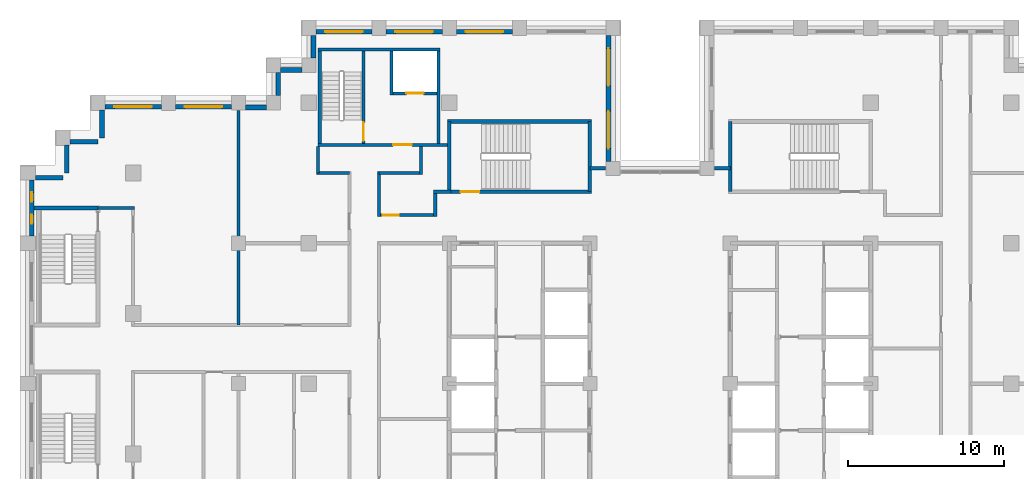
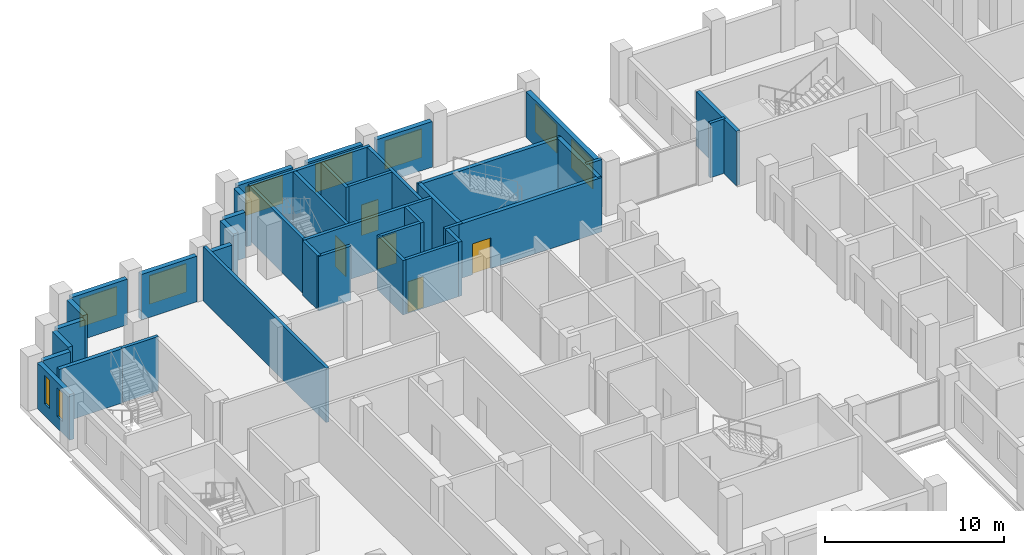
# One storey, part 10 of 15: 40 walls, 9 windows, 5 doors, 14 openings.
"""IFC4 building model written with IfcOpenShell, lengths in metres."""

from ifc_helpers import new_model, si_unit, direction, frame, frame_2d, origin, place, context, subcontext, project, spatial, rectangle, extrude, material, layer, layer_set, type_object, element, fill, save


model = new_model("IFC4")

# Units and contexts
model_context = context("Model", 3, precision=1e-05, world=origin(), true_north=direction((0.0, 1.0)))
body_context = subcontext(model_context, "Body", "Model", "MODEL_VIEW")
ifc_project = project(units=[si_unit("LENGTHUNIT", "METRE"), si_unit("AREAUNIT", "SQUARE_METRE"), si_unit("VOLUMEUNIT", "CUBIC_METRE"), si_unit("PLANEANGLEUNIT", "RADIAN"), si_unit("MASSUNIT", "GRAM", prefix="KILO")], contexts=[model_context])

# Site, building, storey
site_placement = place(None, origin())
site = spatial("IfcSite", under=ifc_project, at=site_placement, CompositionType="ELEMENT")
building_placement = place(site_placement, origin())
building = spatial("IfcBuilding", under=site, at=building_placement, Name="Corbelhall Arena Tower", CompositionType="ELEMENT")
storey_placement = place(building_placement, frame((0.0, 0.0, 224.0)))
storey = spatial("IfcBuildingStorey", under=building, at=storey_placement, Name="L47", CompositionType="ELEMENT", Elevation=224.0)

# Walls
ifc_material_1 = material(Name="Precast concrete C40/50 with granite facing", Category="masonry")
ifc_layer_1 = layer(ifc_material_1, 0.300048828125)
ifc_layer_set_1 = layer_set([ifc_layer_1], Name="EV-IW1 Infill panel 300")
wall_type_1 = type_object("IfcWallType", Name="EV-IW1 Infill panel 300", PredefinedType="SOLIDWALL", material=ifc_layer_set_1)
for number, where, z_axis, x_axis, name in (
    (1, (-35.75, 17.550048828125, 0.0), (0.0, 0.0, 1.0), (0.0, -1.0, 0.0), "Infill panel IW1"),
    (2, (-37.800048828125, 15.5, 0.0), (0.0, 0.0, 1.0), (1.0, 0.0, 0.0), "Infill panel IW1"),
    (3, (-38.0, 15.300048828125, 0.0), (0.0, 0.0, 1.0), (0.0, -1.0, 0.0), "Infill panel IW1"),
):
    element("IfcWall", number, at=place(storey_placement, frame(where, z_axis=z_axis, x_axis=x_axis)), inside=storey, type_object=wall_type_1, Name=name, PredefinedType="SOLIDWALL", context=body_context, shape_type="SweptSolid", body=[
        extrude(rectangle(XDim=1.800048828125, YDim=0.300048828125, at=frame_2d((0.89990234375, 0.0))), origin(), (0.0, 0.0, 1.0), 3.1201171875),
    ])
wall_1_placement = place(storey_placement, frame((-40.0, 13.199951171875, 0.0), z_axis=(0.0, 0.0, 1.0), x_axis=(1.0, 0.0, 0.0)))
element("IfcWall", 4, at=wall_1_placement, inside=storey, type_object=wall_type_1, Name="Infill panel IW1", PredefinedType="SOLIDWALL", context=body_context, shape_type="SweptSolid", body=[
    extrude(rectangle(XDim=1.75, YDim=0.300048828125, at=frame_2d((0.875, 0.0))), origin(), (0.0, 0.0, 1.0), 3.1201171875),
])
wall_2_placement = place(storey_placement, frame((-22.949951171875, 20.10009765625, 0.0), z_axis=(0.0, 0.0, 1.0), x_axis=(-1.0, 0.0, 0.0)))
element("IfcWall", 5, at=wall_2_placement, inside=storey, type_object=wall_type_1, Name="Infill panel IW1", PredefinedType="SOLIDWALL", context=body_context, shape_type="SweptSolid", body=[
    extrude(rectangle(XDim=1.35009765625, YDim=0.300048828125, at=frame_2d((0.675048828125, 0.0))), origin(), (0.0, 0.0, 1.0), 3.1201171875),
])
wall_3_placement = place(storey_placement, frame((-24.449951171875, 19.949951171875, 0.0), z_axis=(0.0, 0.0, 1.0), x_axis=(0.0, -1.0, 0.0)))
element("IfcWall", 6, at=wall_3_placement, inside=storey, type_object=wall_type_1, Name="Infill panel IW1", PredefinedType="SOLIDWALL", context=body_context, shape_type="SweptSolid", body=[
    extrude(rectangle(XDim=1.5, YDim=0.300048828125, at=frame_2d((0.75, 0.0))), origin(), (0.0, 0.0, 1.0), 3.1201171875),
])
wall_4_placement = place(storey_placement, frame((-25.199951171875, 17.699951171875, 0.0), z_axis=(0.0, 0.0, 1.0), x_axis=(-1.0, 0.0, 0.0)))
element("IfcWall", 7, at=wall_4_placement, inside=storey, type_object=wall_type_1, Name="Infill panel IW1", PredefinedType="SOLIDWALL", context=body_context, shape_type="SweptSolid", body=[
    extrude(rectangle(XDim=1.35009765625, YDim=0.300048828125, at=frame_2d((0.675048828125, 0.0))), origin(), (0.0, 0.0, 1.0), 3.1201171875),
])

# Wall, opening, window
wall_5_placement = place(storey_placement, frame((-27.449951171875, 17.75, 0.0), z_axis=(0.0, 0.0, 1.0), x_axis=(-1.0, 0.0, 0.0)))
wall_5 = element("IfcWall", 8, at=wall_5_placement, inside=storey, type_object=wall_type_1, Name="Infill panel IW1", PredefinedType="SOLIDWALL", context=body_context, shape_type="SweptSolid", body=[
    extrude(rectangle(XDim=3.60009765625, YDim=0.300048828125, at=frame_2d((1.800048828125, 0.0))), origin(), (0.0, 0.0, 1.0), 3.1201171875),
])
opening_1_placement = place(wall_5_placement, frame((0.60009765625, 0.0, 0.800048828125)))
opening_1 = element("IfcOpeningElement", 9, at=opening_1_placement, cuts=wall_5, Name="Opening WN1", PredefinedType="OPENING", context=body_context, shape_type="SweptSolid", body=[
    extrude(rectangle(XDim=2.39990234375, YDim=1.949951171875, at=frame_2d((1.199951171875, 0.97509765625))), frame((0.0, 0.14990234375, 0.0), z_axis=(0.0, -1.0, 0.0), x_axis=(1.0, 0.0, 0.0)), (0.0, 0.0, 1.0), 0.300048828125),
])
ifc_material_2 = material(Name="Aluminium black anodised", Category="aluminium")
window_type_1 = type_object("IfcWindowType", Name="EV-WN1 Office window", PartitioningType="SINGLE_PANEL", PredefinedType="WINDOW", material=ifc_material_2)
window_1_placement = place(opening_1_placement, origin())
window_1 = element("IfcWindow", 10, at=window_1_placement, inside=storey, type_object=window_type_1, Name="Window WN1", OverallHeight=1.949951171875, OverallWidth=2.39990234375, PartitioningType="SINGLE_PANEL", PredefinedType="WINDOW", context=body_context, shape_type="SweptSolid", body=[
    extrude(rectangle(XDim=2.39990234375, YDim=1.949951171875, at=frame_2d((1.199951171875, 0.97509765625))), frame((0.0, 0.030029296875, 0.0), z_axis=(0.0, -1.0, 0.0), x_axis=(1.0, 0.0, 0.0)), (0.0, 0.0, 1.0), 0.06005859375),
])
fill(opening_1, window_1)

wall_6_placement = place(storey_placement, frame((-31.949951171875, 17.75, 0.0), z_axis=(0.0, 0.0, 1.0), x_axis=(-1.0, 0.0, 0.0)))
wall_6 = element("IfcWall", 11, at=wall_6_placement, inside=storey, type_object=wall_type_1, Name="Infill panel IW1", PredefinedType="SOLIDWALL", context=body_context, shape_type="SweptSolid", body=[
    extrude(rectangle(XDim=3.60009765625, YDim=0.300048828125, at=frame_2d((1.800048828125, 0.0))), origin(), (0.0, 0.0, 1.0), 3.1201171875),
])
opening_2_placement = place(wall_6_placement, frame((0.60009765625, 0.0, 0.800048828125)))
opening_2 = element("IfcOpeningElement", 12, at=opening_2_placement, cuts=wall_6, Name="Opening WN1", PredefinedType="OPENING", context=body_context, shape_type="SweptSolid", body=[
    extrude(rectangle(XDim=2.39990234375, YDim=1.949951171875, at=frame_2d((1.199951171875, 0.97509765625))), frame((0.0, 0.14990234375, 0.0), z_axis=(0.0, -1.0, 0.0), x_axis=(1.0, 0.0, 0.0)), (0.0, 0.0, 1.0), 0.300048828125),
])
window_2_placement = place(opening_2_placement, origin())
window_2 = element("IfcWindow", 13, at=window_2_placement, inside=storey, type_object=window_type_1, Name="Window WN1", OverallHeight=1.949951171875, OverallWidth=2.39990234375, PartitioningType="SINGLE_PANEL", PredefinedType="WINDOW", context=body_context, shape_type="SweptSolid", body=[
    extrude(rectangle(XDim=2.39990234375, YDim=1.949951171875, at=frame_2d((1.199951171875, 0.97509765625))), frame((0.0, 0.030029296875, 0.0), z_axis=(0.0, -1.0, 0.0), x_axis=(1.0, 0.0, 0.0)), (0.0, 0.0, 1.0), 0.06005859375),
])
fill(opening_2, window_2)

# Wall, openings, windows
wall_7_placement = place(storey_placement, frame((-40.25, 13.050048828125, 0.0), z_axis=(0.0, 0.0, 1.0), x_axis=(0.0, -1.0, 0.0)))
wall_7 = element("IfcWall", 14, at=wall_7_placement, inside=storey, type_object=wall_type_1, Name="Infill panel IW1", PredefinedType="SOLIDWALL", context=body_context, shape_type="SweptSolid", body=[
    extrude(rectangle(XDim=3.60009765625, YDim=0.300048828125, at=frame_2d((1.800048828125, 0.0))), origin(), (0.0, 0.0, 1.0), 3.1201171875),
])
opening_3_placement = place(wall_7_placement, frame((0.78759765625, 0.0, 0.800048828125)))
opening_3 = element("IfcOpeningElement", 15, at=opening_3_placement, cuts=wall_7, Name="Opening WN5", PredefinedType="OPENING", context=body_context, shape_type="SweptSolid", body=[
    extrude(rectangle(XDim=0.60009765625, YDim=1.949951171875, at=frame_2d((0.300048828125, 0.97509765625))), frame((0.0, 0.14990234375, 0.0), z_axis=(0.0, -1.0, 0.0), x_axis=(1.0, 0.0, 0.0)), (0.0, 0.0, 1.0), 0.300048828125),
])
opening_4_placement = place(wall_7_placement, frame((2.21240234375, 0.0, 0.800048828125)))
opening_4 = element("IfcOpeningElement", 16, at=opening_4_placement, cuts=wall_7, Name="Opening WN5", PredefinedType="OPENING", context=body_context, shape_type="SweptSolid", body=[
    extrude(rectangle(XDim=0.60009765625, YDim=1.949951171875, at=frame_2d((0.300048828125, 0.97509765625))), frame((0.0, 0.14990234375, 0.0), z_axis=(0.0, -1.0, 0.0), x_axis=(1.0, 0.0, 0.0)), (0.0, 0.0, 1.0), 0.300048828125),
])
window_type_2 = type_object("IfcWindowType", Name="EV-WN5 Office window 600", PartitioningType="SINGLE_PANEL", PredefinedType="WINDOW", material=ifc_material_2)
window_3_placement = place(opening_3_placement, origin())
window_3 = element("IfcWindow", 17, at=window_3_placement, inside=storey, type_object=window_type_2, Name="Window WN5", OverallHeight=1.949951171875, OverallWidth=0.60009765625, PartitioningType="SINGLE_PANEL", PredefinedType="WINDOW", context=body_context, shape_type="SweptSolid", body=[
    extrude(rectangle(XDim=0.60009765625, YDim=1.949951171875, at=frame_2d((0.300048828125, 0.97509765625))), frame((0.0, 0.030029296875, 0.0), z_axis=(0.0, -1.0, 0.0), x_axis=(1.0, 0.0, 0.0)), (0.0, 0.0, 1.0), 0.06005859375),
])
fill(opening_3, window_3)
window_4_placement = place(opening_4_placement, origin())
window_4 = element("IfcWindow", 18, at=window_4_placement, inside=storey, type_object=window_type_2, Name="Window WN5", OverallHeight=1.949951171875, OverallWidth=0.60009765625, PartitioningType="SINGLE_PANEL", PredefinedType="WINDOW", context=body_context, shape_type="SweptSolid", body=[
    extrude(rectangle(XDim=0.60009765625, YDim=1.949951171875, at=frame_2d((0.300048828125, 0.97509765625))), frame((0.0, 0.030029296875, 0.0), z_axis=(0.0, -1.0, 0.0), x_axis=(1.0, 0.0, 0.0)), (0.0, 0.0, 1.0), 0.06005859375),
])
fill(opening_4, window_4)

wall_8_placement = place(storey_placement, frame((-3.300048828125, 14.25, 0.0), z_axis=(0.0, 0.0, 1.0), x_axis=(0.0, 1.0, 0.0)))
wall_8 = element("IfcWall", 19, at=wall_8_placement, inside=storey, type_object=wall_type_1, Name="Infill panel IW1", PredefinedType="SOLIDWALL", context=body_context, shape_type="SweptSolid", body=[
    extrude(rectangle(XDim=8.050048828125, YDim=0.300048828125, at=frame_2d((4.02490234375, 0.0))), origin(), (0.0, 0.0, 1.0), 3.1201171875),
])
opening_5_placement = place(wall_8_placement, frame((0.8125, 0.0, 0.800048828125)))
opening_5 = element("IfcOpeningElement", 20, at=opening_5_placement, cuts=wall_8, Name="Opening WN1", PredefinedType="OPENING", context=body_context, shape_type="SweptSolid", body=[
    extrude(rectangle(XDim=2.39990234375, YDim=1.949951171875, at=frame_2d((1.199951171875, 0.97509765625))), frame((0.0, 0.14990234375, 0.0), z_axis=(0.0, -1.0, 0.0), x_axis=(1.0, 0.0, 0.0)), (0.0, 0.0, 1.0), 0.300048828125),
])
opening_6_placement = place(wall_8_placement, frame((4.83740234375, 0.0, 0.800048828125)))
opening_6 = element("IfcOpeningElement", 21, at=opening_6_placement, cuts=wall_8, Name="Opening WN1", PredefinedType="OPENING", context=body_context, shape_type="SweptSolid", body=[
    extrude(rectangle(XDim=2.39990234375, YDim=1.949951171875, at=frame_2d((1.199951171875, 0.97509765625))), frame((0.0, 0.14990234375, 0.0), z_axis=(0.0, -1.0, 0.0), x_axis=(1.0, 0.0, 0.0)), (0.0, 0.0, 1.0), 0.300048828125),
])
window_5_placement = place(opening_5_placement, origin())
window_5 = element("IfcWindow", 22, at=window_5_placement, inside=storey, type_object=window_type_1, Name="Window WN1", OverallHeight=1.949951171875, OverallWidth=2.39990234375, PartitioningType="SINGLE_PANEL", PredefinedType="WINDOW", context=body_context, shape_type="SweptSolid", body=[
    extrude(rectangle(XDim=2.39990234375, YDim=1.949951171875, at=frame_2d((1.199951171875, 0.97509765625))), frame((0.0, 0.030029296875, 0.0), z_axis=(0.0, -1.0, 0.0), x_axis=(1.0, 0.0, 0.0)), (0.0, 0.0, 1.0), 0.06005859375),
])
fill(opening_5, window_5)
window_6_placement = place(opening_6_placement, origin())
window_6 = element("IfcWindow", 23, at=window_6_placement, inside=storey, type_object=window_type_1, Name="Window WN1", OverallHeight=1.949951171875, OverallWidth=2.39990234375, PartitioningType="SINGLE_PANEL", PredefinedType="WINDOW", context=body_context, shape_type="SweptSolid", body=[
    extrude(rectangle(XDim=2.39990234375, YDim=1.949951171875, at=frame_2d((1.199951171875, 0.97509765625))), frame((0.0, 0.030029296875, 0.0), z_axis=(0.0, -1.0, 0.0), x_axis=(1.0, 0.0, 0.0)), (0.0, 0.0, 1.0), 0.06005859375),
])
fill(opening_6, window_6)

# Wall, opening, window
wall_9_placement = place(storey_placement, frame((-9.449951171875, 22.550048828125, 0.0), z_axis=(0.0, 0.0, 1.0), x_axis=(-1.0, 0.0, 0.0)))
wall_9 = element("IfcWall", 24, at=wall_9_placement, inside=storey, type_object=wall_type_1, Name="Infill panel IW1", PredefinedType="SOLIDWALL", context=body_context, shape_type="SweptSolid", body=[
    extrude(rectangle(XDim=3.60009765625, YDim=0.300048828125, at=frame_2d((1.800048828125, 0.0))), origin(), (0.0, 0.0, 1.0), 3.1201171875),
])
opening_7_placement = place(wall_9_placement, frame((0.60009765625, 0.0, 0.800048828125)))
opening_7 = element("IfcOpeningElement", 25, at=opening_7_placement, cuts=wall_9, Name="Opening WN1", PredefinedType="OPENING", context=body_context, shape_type="SweptSolid", body=[
    extrude(rectangle(XDim=2.39990234375, YDim=1.949951171875, at=frame_2d((1.199951171875, 0.97509765625))), frame((0.0, 0.14990234375, 0.0), z_axis=(0.0, -1.0, 0.0), x_axis=(1.0, 0.0, 0.0)), (0.0, 0.0, 1.0), 0.300048828125),
])
window_7_placement = place(opening_7_placement, origin())
window_7 = element("IfcWindow", 26, at=window_7_placement, inside=storey, type_object=window_type_1, Name="Window WN1", OverallHeight=1.949951171875, OverallWidth=2.39990234375, PartitioningType="SINGLE_PANEL", PredefinedType="WINDOW", context=body_context, shape_type="SweptSolid", body=[
    extrude(rectangle(XDim=2.39990234375, YDim=1.949951171875, at=frame_2d((1.199951171875, 0.97509765625))), frame((0.0, 0.030029296875, 0.0), z_axis=(0.0, -1.0, 0.0), x_axis=(1.0, 0.0, 0.0)), (0.0, 0.0, 1.0), 0.06005859375),
])
fill(opening_7, window_7)

wall_10_placement = place(storey_placement, frame((-13.949951171875, 22.550048828125, 0.0), z_axis=(0.0, 0.0, 1.0), x_axis=(-1.0, 0.0, 0.0)))
wall_10 = element("IfcWall", 27, at=wall_10_placement, inside=storey, type_object=wall_type_1, Name="Infill panel IW1", PredefinedType="SOLIDWALL", context=body_context, shape_type="SweptSolid", body=[
    extrude(rectangle(XDim=3.60009765625, YDim=0.300048828125, at=frame_2d((1.800048828125, 0.0))), origin(), (0.0, 0.0, 1.0), 3.1201171875),
])
opening_8_placement = place(wall_10_placement, frame((0.60009765625, 0.0, 0.800048828125)))
opening_8 = element("IfcOpeningElement", 28, at=opening_8_placement, cuts=wall_10, Name="Opening WN1", PredefinedType="OPENING", context=body_context, shape_type="SweptSolid", body=[
    extrude(rectangle(XDim=2.39990234375, YDim=1.949951171875, at=frame_2d((1.199951171875, 0.97509765625))), frame((0.0, 0.14990234375, 0.0), z_axis=(0.0, -1.0, 0.0), x_axis=(1.0, 0.0, 0.0)), (0.0, 0.0, 1.0), 0.300048828125),
])
window_8_placement = place(opening_8_placement, origin())
window_8 = element("IfcWindow", 29, at=window_8_placement, inside=storey, type_object=window_type_1, Name="Window WN1", OverallHeight=1.949951171875, OverallWidth=2.39990234375, PartitioningType="SINGLE_PANEL", PredefinedType="WINDOW", context=body_context, shape_type="SweptSolid", body=[
    extrude(rectangle(XDim=2.39990234375, YDim=1.949951171875, at=frame_2d((1.199951171875, 0.97509765625))), frame((0.0, 0.030029296875, 0.0), z_axis=(0.0, -1.0, 0.0), x_axis=(1.0, 0.0, 0.0)), (0.0, 0.0, 1.0), 0.06005859375),
])
fill(opening_8, window_8)

wall_11_placement = place(storey_placement, frame((-18.449951171875, 22.550048828125, 0.0), z_axis=(0.0, 0.0, 1.0), x_axis=(-1.0, 0.0, 0.0)))
wall_11 = element("IfcWall", 30, at=wall_11_placement, inside=storey, type_object=wall_type_1, Name="Infill panel IW1", PredefinedType="SOLIDWALL", context=body_context, shape_type="SweptSolid", body=[
    extrude(rectangle(XDim=3.60009765625, YDim=0.300048828125, at=frame_2d((1.800048828125, 0.0))), origin(), (0.0, 0.0, 1.0), 3.1201171875),
])
opening_9_placement = place(wall_11_placement, frame((0.60009765625, 0.0, 0.800048828125)))
opening_9 = element("IfcOpeningElement", 31, at=opening_9_placement, cuts=wall_11, Name="Opening WN1", PredefinedType="OPENING", context=body_context, shape_type="SweptSolid", body=[
    extrude(rectangle(XDim=2.39990234375, YDim=1.949951171875, at=frame_2d((1.199951171875, 0.97509765625))), frame((0.0, 0.14990234375, 0.0), z_axis=(0.0, -1.0, 0.0), x_axis=(1.0, 0.0, 0.0)), (0.0, 0.0, 1.0), 0.300048828125),
])
window_9_placement = place(opening_9_placement, origin())
window_9 = element("IfcWindow", 32, at=window_9_placement, inside=storey, type_object=window_type_1, Name="Window WN1", OverallHeight=1.949951171875, OverallWidth=2.39990234375, PartitioningType="SINGLE_PANEL", PredefinedType="WINDOW", context=body_context, shape_type="SweptSolid", body=[
    extrude(rectangle(XDim=2.39990234375, YDim=1.949951171875, at=frame_2d((1.199951171875, 0.97509765625))), frame((0.0, 0.030029296875, 0.0), z_axis=(0.0, -1.0, 0.0), x_axis=(1.0, 0.0, 0.0)), (0.0, 0.0, 1.0), 0.06005859375),
])
fill(opening_9, window_9)

# Walls
wall_12_placement = place(storey_placement, frame((-22.199951171875, 22.300048828125, 0.0), z_axis=(0.0, 0.0, 1.0), x_axis=(0.0, -1.0, 0.0)))
element("IfcWall", 33, at=wall_12_placement, inside=storey, type_object=wall_type_1, Name="Infill panel IW1", PredefinedType="SOLIDWALL", context=body_context, shape_type="SweptSolid", body=[
    extrude(rectangle(XDim=1.449951171875, YDim=0.300048828125, at=frame_2d((0.72509765625, 0.0))), origin(), (0.0, 0.0, 1.0), 3.1201171875),
])
ifc_material_3 = material(Name="Gypsum board on steel stud, acoustic", Category="steel")
ifc_layer_2 = layer(ifc_material_3, 0.199951171875)
ifc_layer_set_2 = layer_set([ifc_layer_2], Name="IN-W-DM200")
wall_type_2 = type_object("IfcWallType", Name="IN-W-DM200", PredefinedType="PARTITIONING", material=ifc_layer_set_2)
wall_13_placement = place(storey_placement, frame((-36.0, 11.25, 0.0), z_axis=(0.0, 0.0, 1.0), x_axis=(1.0, 0.0, 0.0)))
element("IfcWall", 34, at=wall_13_placement, inside=storey, type_object=wall_type_2, Name="Partition 001", PredefinedType="PARTITIONING", context=body_context, shape_type="SweptSolid", body=[
    extrude(rectangle(XDim=2.35009765625, YDim=0.199951171875, at=frame_2d((1.175048828125, 0.0))), origin(), (0.0, 0.0, 1.0), 3.719970703125),
])
wall_14_placement = place(storey_placement, frame((-27.0, 3.75, 0.0), z_axis=(0.0, 0.0, 1.0), x_axis=(0.0, 1.0, 0.0)))
element("IfcWall", 35, at=wall_14_placement, inside=storey, type_object=wall_type_2, Name="Partition 011", PredefinedType="PARTITIONING", context=body_context, shape_type="SweptSolid", body=[
    extrude(rectangle(XDim=13.75, YDim=0.199951171875, at=frame_2d((6.875, 0.0))), origin(), (0.0, 0.0, 1.0), 3.719970703125),
])
wall_15_placement = place(storey_placement, frame((-21.89990234375, 13.5, 0.0), z_axis=(0.0, 0.0, 1.0), x_axis=(0.0, 1.0, 0.0)))
element("IfcWall", 36, at=wall_15_placement, inside=storey, type_object=wall_type_2, Name="Partition 013", PredefinedType="PARTITIONING", context=body_context, shape_type="SweptSolid", body=[
    extrude(rectangle(XDim=1.699951171875, YDim=0.199951171875, at=frame_2d((0.85009765625, 0.0))), origin(), (0.0, 0.0, 1.0), 3.719970703125),
])
wall_16_placement = place(storey_placement, frame((-19.89990234375, 13.5, 0.0), z_axis=(0.0, 0.0, 1.0), x_axis=(-1.0, 0.0, 0.0)))
element("IfcWall", 37, at=wall_16_placement, inside=storey, type_object=wall_type_2, Name="Partition 016", PredefinedType="PARTITIONING", context=body_context, shape_type="SweptSolid", body=[
    extrude(rectangle(XDim=2.10009765625, YDim=0.199951171875, at=frame_2d((1.050048828125, 0.0))), origin(), (0.0, 0.0, 1.0), 3.719970703125),
])

# Wall, opening, door
wall_17_placement = place(storey_placement, frame((-18.0, 10.800048828125, 0.0), z_axis=(0.0, 0.0, 1.0), x_axis=(1.0, 0.0, 0.0)))
wall_17 = element("IfcWall", 38, at=wall_17_placement, inside=storey, type_object=wall_type_2, Name="Partition 021", PredefinedType="PARTITIONING", context=body_context, shape_type="SweptSolid", body=[
    extrude(rectangle(XDim=3.60009765625, YDim=0.199951171875, at=frame_2d((1.800048828125, 0.0))), origin(), (0.0, 0.0, 1.0), 3.719970703125),
])
opening_10_placement = place(wall_17_placement, frame((0.25, 0.0, 0.0)))
opening_10 = element("IfcOpeningElement", 39, at=opening_10_placement, cuts=wall_17, Name="Opening 14028", PredefinedType="OPENING", context=body_context, shape_type="SweptSolid", body=[
    extrude(rectangle(XDim=1.0, YDim=2.10009765625, at=frame_2d((0.5, 1.050048828125))), frame((0.0, 0.10009765625, 0.0), z_axis=(0.0, -1.0, 0.0), x_axis=(1.0, 0.0, 0.0)), (0.0, 0.0, 1.0), 0.199951171875),
])
ifc_material_4 = material(Name="Steel door set", Category="steel")
door_type_1 = type_object("IfcDoorType", Name="IN-D-SW100", OperationType="NOTDEFINED", PredefinedType="DOOR", material=ifc_material_4)
door_1_placement = place(opening_10_placement, origin())
door_1 = element("IfcDoor", 40, at=door_1_placement, inside=storey, type_object=door_type_1, Name="Door 028", OperationType="SINGLE_SWING_LEFT", OverallHeight=2.10009765625, OverallWidth=1.0, PredefinedType="DOOR", context=body_context, shape_type="SweptSolid", body=[
    extrude(rectangle(XDim=1.0, YDim=2.10009765625, at=frame_2d((0.5, 1.050048828125))), frame((0.0, 0.02490234375, 0.0), z_axis=(0.0, -1.0, 0.0), x_axis=(1.0, 0.0, 0.0)), (0.0, 0.0, 1.0), 0.050048828125),
])
fill(opening_10, door_1)

# Walls
wall_18_placement = place(storey_placement, frame((-18.0, 13.60009765625, 0.0), z_axis=(0.0, 0.0, 1.0), x_axis=(0.0, -1.0, 0.0)))
element("IfcWall", 41, at=wall_18_placement, inside=storey, type_object=wall_type_2, Name="Partition 022", PredefinedType="PARTITIONING", context=body_context, shape_type="SweptSolid", body=[
    extrude(rectangle(XDim=2.900146484375, YDim=0.199951171875, at=frame_2d((1.4501953125, 0.0))), origin(), (0.0, 0.0, 1.0), 3.719970703125),
])
wall_19_placement = place(storey_placement, frame((-15.300048828125, 13.5, 0.0), z_axis=(0.0, 0.0, 1.0), x_axis=(-1.0, 0.0, 0.0)))
element("IfcWall", 42, at=wall_19_placement, inside=storey, type_object=wall_type_2, Name="Partition 023", PredefinedType="PARTITIONING", context=body_context, shape_type="SweptSolid", body=[
    extrude(rectangle(XDim=2.699951171875, YDim=0.199951171875, at=frame_2d((1.35009765625, 0.0))), origin(), (0.0, 0.0, 1.0), 3.719970703125),
])
wall_20_placement = place(storey_placement, frame((-15.300048828125, 15.199951171875, 0.0), z_axis=(0.0, 0.0, 1.0), x_axis=(0.0, -1.0, 0.0)))
element("IfcWall", 43, at=wall_20_placement, inside=storey, type_object=wall_type_2, Name="Partition 024", PredefinedType="PARTITIONING", context=body_context, shape_type="SweptSolid", body=[
    extrude(rectangle(XDim=1.800048828125, YDim=0.199951171875, at=frame_2d((0.89990234375, 0.0))), origin(), (0.0, 0.0, 1.0), 3.719970703125),
])
wall_21_placement = place(storey_placement, frame((-14.5, 12.300048828125, 0.0), z_axis=(0.0, 0.0, 1.0), x_axis=(1.0, 0.0, 0.0)))
element("IfcWall", 44, at=wall_21_placement, inside=storey, type_object=wall_type_2, Name="Partition 025", PredefinedType="PARTITIONING", context=body_context, shape_type="SweptSolid", body=[
    extrude(rectangle(XDim=1.125, YDim=0.199951171875, at=frame_2d((0.5625, 0.0))), origin(), (0.0, 0.0, 1.0), 3.719970703125),
])
wall_22_placement = place(storey_placement, frame((-14.39990234375, 10.699951171875, 0.0), z_axis=(0.0, 0.0, 1.0), x_axis=(0.0, 1.0, 0.0)))
element("IfcWall", 45, at=wall_22_placement, inside=storey, type_object=wall_type_2, Name="Partition 029", PredefinedType="PARTITIONING", context=body_context, shape_type="SweptSolid", body=[
    extrude(rectangle(XDim=1.60009765625, YDim=0.199951171875, at=frame_2d((0.800048828125, 0.0))), origin(), (0.0, 0.0, 1.0), 3.719970703125),
])
for number, where, z_axis, x_axis, name in (
    (46, (-4.5, 13.800048828125, 0.0), (0.0, 0.0, 1.0), (1.0, 0.0, 0.0), "Partition 031"),
    (47, (3.5, 13.800048828125, 0.0), (0.0, 0.0, 1.0), (1.0, 0.0, 0.0), "Partition 033"),
):
    element("IfcWall", number, at=place(storey_placement, frame(where, z_axis=z_axis, x_axis=x_axis)), inside=storey, type_object=wall_type_2, Name=name, PredefinedType="PARTITIONING", context=body_context, shape_type="SweptSolid", body=[
        extrude(rectangle(XDim=1.0, YDim=0.199951171875, at=frame_2d((0.5, 0.0))), origin(), (0.0, 0.0, 1.0), 3.719970703125),
    ])

# Wall, opening, door
ifc_material_5 = material(Name="Concrete C40/50", Category="concrete")
ifc_layer_3 = layer(ifc_material_5, 0.199951171875)
ifc_layer_set_3 = layer_set([ifc_layer_3], Name="IN-W-EAR200")
wall_type_3 = type_object("IfcWallType", Name="IN-W-EAR200", PredefinedType="SOLIDWALL", material=ifc_layer_set_3)
wall_23_placement = place(storey_placement, frame((-21.89990234375, 15.300048828125, 0.0), z_axis=(0.0, 0.0, 1.0), x_axis=(1.0, 0.0, 0.0)))
wall_23 = element("IfcWall", 48, at=wall_23_placement, inside=storey, type_object=wall_type_3, Name="Fire service turret wall south", PredefinedType="SOLIDWALL", context=body_context, shape_type="SweptSolid", body=[
    extrude(rectangle(XDim=8.27490234375, YDim=0.199951171875, at=frame_2d((4.137451171875, 0.0))), origin(), (0.0, 0.0, 1.0), 3.719970703125),
])
opening_11_placement = place(wall_23_placement, frame((4.800048828125, 0.0, 0.0)))
opening_11 = element("IfcOpeningElement", 49, at=opening_11_placement, cuts=wall_23, Name="Opening E142", PredefinedType="OPENING", context=body_context, shape_type="SweptSolid", body=[
    extrude(rectangle(XDim=1.199951171875, YDim=2.10009765625, at=frame_2d((0.60009765625, 1.050048828125))), frame((0.0, 0.10009765625, 0.0), z_axis=(0.0, -1.0, 0.0), x_axis=(1.0, 0.0, 0.0)), (0.0, 0.0, 1.0), 0.199951171875),
])
door_type_2 = type_object("IfcDoorType", Name="IN-D-ST120", OperationType="NOTDEFINED", PredefinedType="DOOR", material=ifc_material_4)
door_2_placement = place(opening_11_placement, origin())
door_2 = element("IfcDoor", 50, at=door_2_placement, inside=storey, type_object=door_type_2, Name="Door from fire service lift lobby to circulation", OperationType="SINGLE_SWING_RIGHT", OverallHeight=2.10009765625, OverallWidth=1.199951171875, PredefinedType="DOOR", context=body_context, shape_type="SweptSolid", body=[
    extrude(rectangle(XDim=1.199951171875, YDim=2.10009765625, at=frame_2d((0.60009765625, 1.050048828125))), frame((0.0, 0.02490234375, 0.0), z_axis=(0.0, -1.0, 0.0), x_axis=(1.0, 0.0, 0.0)), (0.0, 0.0, 1.0), 0.050048828125),
])
fill(opening_11, door_2)

# Walls
wall_24_placement = place(storey_placement, frame((-21.89990234375, 21.39990234375, 0.0), z_axis=(0.0, 0.0, 1.0), x_axis=(1.0, 0.0, 0.0)))
element("IfcWall", 51, at=wall_24_placement, inside=storey, type_object=wall_type_3, Name="Fire service turret wall north", PredefinedType="SOLIDWALL", context=body_context, shape_type="SweptSolid", body=[
    extrude(rectangle(XDim=7.7998046875, YDim=0.199951171875, at=frame_2d((3.89990234375, 0.0))), origin(), (0.0, 0.0, 1.0), 3.719970703125),
])
for number, where, z_axis, x_axis, name in (
    (52, (-21.800048828125, 15.39990234375, 0.0), (0.0, 0.0, 1.0), (0.0, 1.0, 0.0), "Fire service turret wall west"),
    (53, (-14.199951171875, 15.39990234375, 0.0), (0.0, 0.0, 1.0), (0.0, 1.0, 0.0), "Fire service turret wall east"),
):
    element("IfcWall", number, at=place(storey_placement, frame(where, z_axis=z_axis, x_axis=x_axis)), inside=storey, type_object=wall_type_3, Name=name, PredefinedType="SOLIDWALL", context=body_context, shape_type="SweptSolid", body=[
        extrude(rectangle(XDim=5.900146484375, YDim=0.199951171875, at=frame_2d((2.9501953125, 0.0))), origin(), (0.0, 0.0, 1.0), 3.719970703125),
    ])

# Wall, opening, door
wall_25_placement = place(storey_placement, frame((-18.989990234375, 15.39990234375, 0.0), z_axis=(0.0, 0.0, 1.0), x_axis=(0.0, 1.0, 0.0)))
wall_25 = element("IfcWall", 54, at=wall_25_placement, inside=storey, type_object=wall_type_3, Name="Fire service turret wall stair", PredefinedType="SOLIDWALL", context=body_context, shape_type="SweptSolid", body=[
    extrude(rectangle(XDim=5.900146484375, YDim=0.199951171875, at=frame_2d((2.9501953125, 0.0))), origin(), (0.0, 0.0, 1.0), 3.719970703125),
])
opening_12_placement = place(wall_25_placement, frame((0.14990234375, 0.0, 0.0)))
opening_12 = element("IfcOpeningElement", 55, at=opening_12_placement, cuts=wall_25, Name="Opening E141", PredefinedType="OPENING", context=body_context, shape_type="SweptSolid", body=[
    extrude(rectangle(XDim=1.199951171875, YDim=2.10009765625, at=frame_2d((0.60009765625, 1.050048828125))), frame((0.0, 0.10009765625, 0.0), z_axis=(0.0, -1.0, 0.0), x_axis=(1.0, 0.0, 0.0)), (0.0, 0.0, 1.0), 0.199951171875),
])
door_3_placement = place(opening_12_placement, origin())
door_3 = element("IfcDoor", 56, at=door_3_placement, inside=storey, type_object=door_type_2, Name="Stair door to fire service lobby", OperationType="SINGLE_SWING_LEFT", OverallHeight=2.10009765625, OverallWidth=1.199951171875, PredefinedType="DOOR", context=body_context, shape_type="SweptSolid", body=[
    extrude(rectangle(XDim=1.199951171875, YDim=2.10009765625, at=frame_2d((0.60009765625, 1.050048828125))), frame((0.0, 0.02490234375, 0.0), z_axis=(0.0, -1.0, 0.0), x_axis=(1.0, 0.0, 0.0)), (0.0, 0.0, 1.0), 0.050048828125),
])
fill(opening_12, door_3)

# Wall
wall_26_placement = place(storey_placement, frame((-17.199951171875, 18.5, 0.0), z_axis=(0.0, 0.0, 1.0), x_axis=(0.0, 1.0, 0.0)))
element("IfcWall", 57, at=wall_26_placement, inside=storey, type_object=wall_type_3, Name="Fire service turret wall hoistway west", PredefinedType="SOLIDWALL", context=body_context, shape_type="SweptSolid", body=[
    extrude(rectangle(XDim=2.800048828125, YDim=0.199951171875, at=frame_2d((1.39990234375, 0.0))), origin(), (0.0, 0.0, 1.0), 3.719970703125),
])

# Wall, opening, door
wall_27_placement = place(storey_placement, frame((-17.10009765625, 18.60009765625, 0.0), z_axis=(0.0, 0.0, 1.0), x_axis=(1.0, 0.0, 0.0)))
wall_27 = element("IfcWall", 58, at=wall_27_placement, inside=storey, type_object=wall_type_3, Name="Fire service turret wall hoistway south", PredefinedType="SOLIDWALL", context=body_context, shape_type="SweptSolid", body=[
    extrude(rectangle(XDim=2.800048828125, YDim=0.199951171875, at=frame_2d((1.39990234375, 0.0))), origin(), (0.0, 0.0, 1.0), 3.719970703125),
])
opening_13_placement = place(wall_27_placement, frame((0.85009765625, 0.0, 0.0)))
opening_13 = element("IfcOpeningElement", 59, at=opening_13_placement, cuts=wall_27, Name="Opening LD", PredefinedType="OPENING", context=body_context, shape_type="SweptSolid", body=[
    extrude(rectangle(XDim=1.10009765625, YDim=2.10009765625, at=frame_2d((0.550048828125, 1.050048828125))), frame((0.0, 0.10009765625, 0.0), z_axis=(0.0, -1.0, 0.0), x_axis=(1.0, 0.0, 0.0)), (0.0, 0.0, 1.0), 0.199951171875),
])
door_type_3 = type_object("IfcDoorType", Name="IN-D-LD110", OperationType="NOTDEFINED", PredefinedType="DOOR", material=ifc_material_4)
door_4_placement = place(opening_13_placement, origin())
door_4 = element("IfcDoor", 60, at=door_4_placement, inside=storey, type_object=door_type_3, Name="Landing door FS1", OperationType="SLIDING_TO_LEFT", OverallHeight=2.10009765625, OverallWidth=1.10009765625, PredefinedType="DOOR", context=body_context, shape_type="SweptSolid", body=[
    extrude(rectangle(XDim=1.10009765625, YDim=2.10009765625, at=frame_2d((0.550048828125, 1.050048828125))), frame((0.0, 0.02490234375, 0.0), z_axis=(0.0, -1.0, 0.0), x_axis=(1.0, 0.0, 0.0)), (0.0, 0.0, 1.0), 0.050048828125),
])
fill(opening_13, door_4)

# Wall
ifc_layer_4 = layer(ifc_material_5, 0.25)
ifc_layer_set_4 = layer_set([ifc_layer_4], Name="IN-W-ST250")
wall_type_4 = type_object("IfcWallType", Name="IN-W-ST250", PredefinedType="SOLIDWALL", material=ifc_layer_set_4)
wall_28_placement = place(storey_placement, frame((-40.10009765625, 11.25, 0.0), z_axis=(0.0, 0.0, 1.0), x_axis=(1.0, 0.0, 0.0)))
element("IfcWall", 61, at=wall_28_placement, inside=storey, type_object=wall_type_4, Name="Shaft wall 096", PredefinedType="SOLIDWALL", context=body_context, shape_type="SweptSolid", body=[
    extrude(rectangle(XDim=4.10009765625, YDim=0.25, at=frame_2d((2.050048828125, 0.0))), origin(), (0.0, 0.0, 1.0), 3.719970703125),
])

# Wall, opening, door
wall_29_placement = place(storey_placement, frame((-13.625, 12.300048828125, 0.0), z_axis=(0.0, 0.0, 1.0), x_axis=(1.0, 0.0, 0.0)))
wall_29 = element("IfcWall", 62, at=wall_29_placement, inside=storey, type_object=wall_type_4, Name="Shaft wall 101", PredefinedType="SOLIDWALL", context=body_context, shape_type="SweptSolid", body=[
    extrude(rectangle(XDim=9.25, YDim=0.25, at=frame_2d((4.625, 0.0))), origin(), (0.0, 0.0, 1.0), 3.719970703125),
])
opening_14_placement = place(wall_29_placement, frame((0.85009765625, 0.0, 0.0)))
opening_14 = element("IfcOpeningElement", 63, at=opening_14_placement, cuts=wall_29, Name="Opening 14018", PredefinedType="OPENING", context=body_context, shape_type="SweptSolid", body=[
    extrude(rectangle(XDim=1.199951171875, YDim=2.10009765625, at=frame_2d((0.60009765625, 1.050048828125))), frame((0.0, 0.125, 0.0), z_axis=(0.0, -1.0, 0.0), x_axis=(1.0, 0.0, 0.0)), (0.0, 0.0, 1.0), 0.25),
])
door_5_placement = place(opening_14_placement, origin())
door_5 = element("IfcDoor", 64, at=door_5_placement, inside=storey, type_object=door_type_2, Name="Door 018", OperationType="SINGLE_SWING_LEFT", OverallHeight=2.10009765625, OverallWidth=1.199951171875, PredefinedType="DOOR", context=body_context, shape_type="SweptSolid", body=[
    extrude(rectangle(XDim=1.199951171875, YDim=2.10009765625, at=frame_2d((0.60009765625, 1.050048828125))), frame((0.0, 0.02490234375, 0.0), z_axis=(0.0, -1.0, 0.0), x_axis=(1.0, 0.0, 0.0)), (0.0, 0.0, 1.0), 0.050048828125),
])
fill(opening_14, door_5)

# Walls
wall_30_placement = place(storey_placement, frame((-13.625, 16.800048828125, 0.0), z_axis=(0.0, 0.0, 1.0), x_axis=(1.0, 0.0, 0.0)))
element("IfcWall", 65, at=wall_30_placement, inside=storey, type_object=wall_type_4, Name="Shaft wall 102", PredefinedType="SOLIDWALL", context=body_context, shape_type="SweptSolid", body=[
    extrude(rectangle(XDim=9.25, YDim=0.25, at=frame_2d((4.625, 0.0))), origin(), (0.0, 0.0, 1.0), 3.719970703125),
])
for number, where, z_axis, x_axis, name in (
    (66, (-13.5, 12.300048828125, 0.0), (0.0, 0.0, 1.0), (0.0, 1.0, 0.0), "Shaft wall 104"),
    (67, (-4.5, 16.800048828125, 0.0), (0.0, 0.0, 1.0), (0.0, -1.0, 0.0), "Shaft wall 107"),
    (68, (4.5, 12.300048828125, 0.0), (0.0, 0.0, 1.0), (0.0, 1.0, 0.0), "Shaft wall 112"),
):
    element("IfcWall", number, at=place(storey_placement, frame(where, z_axis=z_axis, x_axis=x_axis)), inside=storey, type_object=wall_type_4, Name=name, PredefinedType="SOLIDWALL", context=body_context, shape_type="SweptSolid", body=[
        extrude(rectangle(XDim=4.5, YDim=0.25, at=frame_2d((2.25, 0.0))), origin(), (0.0, 0.0, 1.0), 3.719970703125),
    ])

save(model, "model.ifc")
